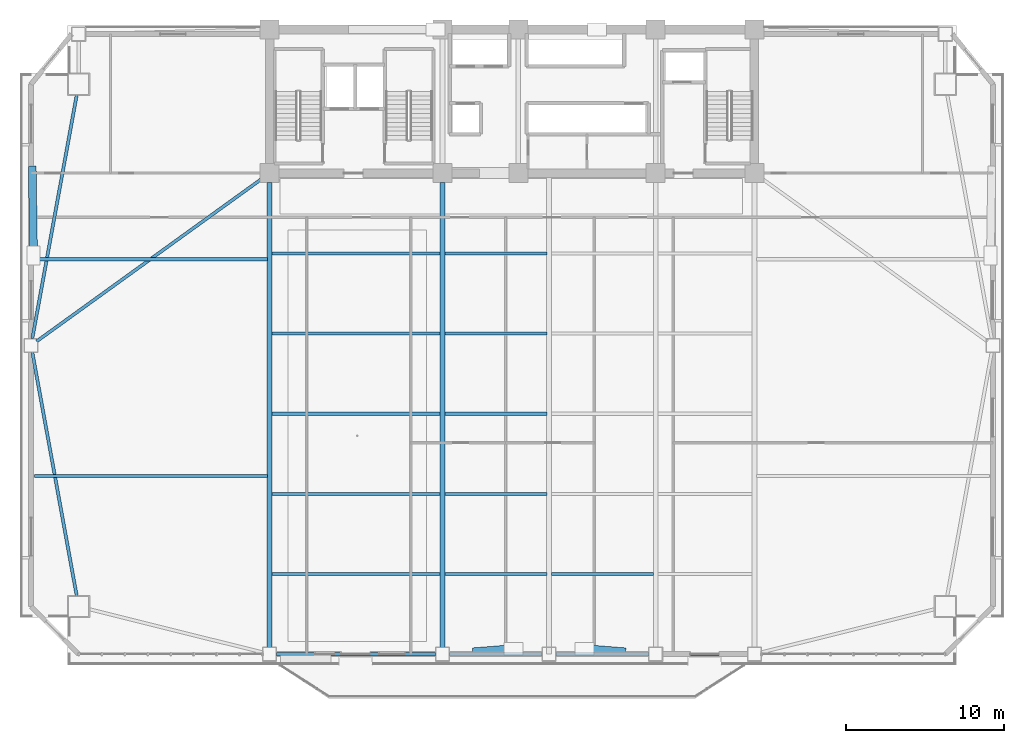
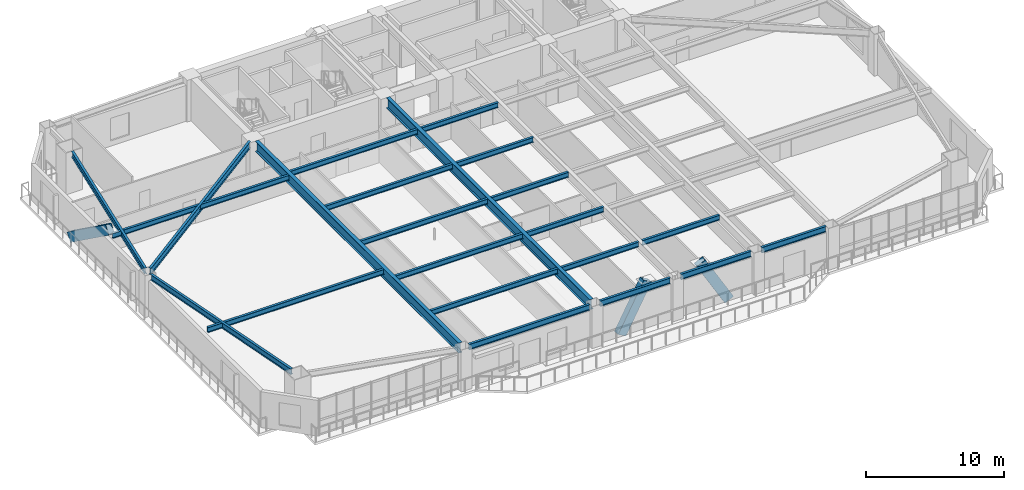
# One storey, part 3 of 15: 22 beams, 3 members.
"""IFC4 building model written with IfcOpenShell, lengths in metres."""

from ifc_helpers import new_model, si_unit, direction, frame, origin, origin_2d, place, context, subcontext, project, spatial, hollow_rectangle, i_section, extrude, source, transform, mapped, material, material_profile, profile_set, type_object, element, save


model = new_model("IFC4")

# Units and contexts
model_context = context("Model", 3, precision=1e-05, world=origin(), true_north=direction((0.0, 1.0)))
body_context = subcontext(model_context, "Body", "Model", "MODEL_VIEW")
ifc_project = project(units=[si_unit("LENGTHUNIT", "METRE"), si_unit("AREAUNIT", "SQUARE_METRE"), si_unit("VOLUMEUNIT", "CUBIC_METRE"), si_unit("PLANEANGLEUNIT", "RADIAN"), si_unit("MASSUNIT", "GRAM", prefix="KILO")], contexts=[model_context])

# Site, building, storey
site_placement = place(None, origin())
site = spatial("IfcSite", under=ifc_project, at=site_placement, CompositionType="ELEMENT")
building_placement = place(site_placement, origin())
building = spatial("IfcBuilding", under=site, at=building_placement, Name="Giltprow Tower", CompositionType="ELEMENT")
storey_placement = place(building_placement, frame((0.0, 0.0, 115.300048828125)))
storey = spatial("IfcBuildingStorey", under=building, at=storey_placement, Name="L28", CompositionType="ELEMENT", Elevation=115.300048828125)

# Beams
ifc_material_1 = material(Name="Structural steel Q355B", Category="steel")
ifc_material_profile_1 = material_profile(ifc_material_1, i_section(OverallWidth=0.199951171875, OverallDepth=0.449951171875, WebThickness=0.009033203125, FlangeThickness=0.013916015625, at=origin_2d()), Name="HN 450x200x9x14")
ifc_profile_set_1 = profile_set([ifc_material_profile_1], Name="Structural steel Q355B")
beam_type_1 = type_object("IfcBeamType", Name="BM-JOIST-HN450", PredefinedType="JOIST", material=ifc_profile_set_1)
shared_shape_1 = source(origin(), body_context, "Body", "SweptSolid", [
    extrude(i_section(OverallWidth=0.199951171875, OverallDepth=0.449951171875, WebThickness=0.009033203125, FlangeThickness=0.013916015625, at=origin_2d()), origin(), (0.0, 0.0, 1.0), 10.659912109375),
])
for number, where, z_axis, x_axis, name in (
    (1, (19.9951171875, 12.06689453125, 3.454833984375), (1.0, 0.0, 0.0), (0.0, 1.0, 0.0), "L28 Composite Floor Joist 1-1"),
    (2, (19.9951171875, 17.14306640625, 3.454833984375), (1.0, 0.0, 0.0), (0.0, 1.0, 0.0), "L28 Composite Floor Joist 2-1"),
    (3, (19.9951171875, 22.219970703125, 3.454833984375), (1.0, 0.0, 0.0), (0.0, 1.0, 0.0), "L28 Composite Floor Joist 3-1"),
    (4, (19.9951171875, 27.297119140625, 3.454833984375), (1.0, 0.0, 0.0), (0.0, 1.0, 0.0), "L28 Composite Floor Joist 4-1"),
    (5, (19.9951171875, 32.373046875, 3.454833984375), (1.0, 0.0, 0.0), (0.0, 1.0, 0.0), "L28 Composite Floor Joist 5-1"),
):
    element("IfcBeam", number, at=place(storey_placement, frame(where, z_axis=z_axis, x_axis=x_axis)), inside=storey, type_object=beam_type_1, Name=name, PredefinedType="JOIST", context=body_context, shape_type="MappedRepresentation", body=[
        mapped(shared_shape_1, transform((0.0, 0.0, 0.0), x_axis=(1.0, 0.0, 0.0), y_axis=(0.0, 1.0, 0.0), z_axis=(0.0, 0.0, 1.0), scale=1.0)),
    ])
shared_shape_2 = source(origin(), body_context, "Body", "SweptSolid", [
    extrude(i_section(OverallWidth=0.199951171875, OverallDepth=0.449951171875, WebThickness=0.009033203125, FlangeThickness=0.013916015625, at=origin_2d()), origin(), (0.0, 0.0, 1.0), 6.4599609375),
])
for number, where, z_axis, x_axis, name in (
    (6, (30.945068359375, 12.06689453125, 3.454833984375), (1.0, 0.0, 0.0), (0.0, 1.0, 0.0), "L28 Composite Floor Joist 1-2"),
    (7, (37.695068359375, 12.06689453125, 3.454833984375), (1.0, 0.0, 0.0), (0.0, 1.0, 0.0), "L28 Composite Floor Joist 1-3"),
    (8, (30.945068359375, 17.14306640625, 3.454833984375), (1.0, 0.0, 0.0), (0.0, 1.0, 0.0), "L28 Composite Floor Joist 2-2"),
    (9, (30.945068359375, 22.219970703125, 3.454833984375), (1.0, 0.0, 0.0), (0.0, 1.0, 0.0), "L28 Composite Floor Joist 3-2"),
    (10, (30.945068359375, 27.297119140625, 3.454833984375), (1.0, 0.0, 0.0), (0.0, 1.0, 0.0), "L28 Composite Floor Joist 4-2"),
    (11, (30.945068359375, 32.373046875, 3.454833984375), (1.0, 0.0, 0.0), (0.0, 1.0, 0.0), "L28 Composite Floor Joist 5-2"),
):
    element("IfcBeam", number, at=place(storey_placement, frame(where, z_axis=z_axis, x_axis=x_axis)), inside=storey, type_object=beam_type_1, Name=name, PredefinedType="JOIST", context=body_context, shape_type="MappedRepresentation", body=[
        mapped(shared_shape_2, transform((0.0, 0.0, 0.0), x_axis=(1.0, 0.0, 0.0), y_axis=(0.0, 1.0, 0.0), z_axis=(0.0, 0.0, 1.0), scale=1.0)),
    ])
ifc_material_profile_2 = material_profile(ifc_material_1, i_section(OverallWidth=0.199951171875, OverallDepth=0.5, WebThickness=0.010009765625, FlangeThickness=0.01611328125, at=origin_2d()), Name="HN 500x200x10x16")
ifc_profile_set_2 = profile_set([ifc_material_profile_2], Name="Structural steel Q355B")
beam_type_2 = type_object("IfcBeamType", Name="BM-SPAN-HN500", PredefinedType="SPANDREL", material=ifc_profile_set_2)
shared_shape_3 = source(origin(), body_context, "Body", "SweptSolid", [
    extrude(i_section(OverallWidth=0.199951171875, OverallDepth=0.5, WebThickness=0.010009765625, FlangeThickness=0.01611328125, at=origin_2d()), origin(), (0.0, 0.0, 1.0), 10.080078125),
])
beam_1_placement = place(storey_placement, frame((20.284912109375, 6.989990234375, 3.429931640625), z_axis=(1.0, 0.0, 0.0), x_axis=(0.0, 1.0, 0.0)))
element("IfcBeam", 12, at=beam_1_placement, inside=storey, type_object=beam_type_2, Name="L28 Perimeter Spandrel Beam S1-S2", PredefinedType="SPANDREL", context=body_context, shape_type="MappedRepresentation", body=[
    mapped(shared_shape_3, transform((0.0, 0.0, 0.0), x_axis=(1.0, 0.0, 0.0), y_axis=(0.0, 1.0, 0.0), z_axis=(0.0, 0.0, 1.0), scale=1.0)),
])
shared_shape_4 = source(origin(), body_context, "Body", "SweptSolid", [
    extrude(i_section(OverallWidth=0.199951171875, OverallDepth=0.5, WebThickness=0.010009765625, FlangeThickness=0.01611328125, at=origin_2d()), origin(), (0.0, 0.0, 1.0), 5.8798828125),
])
for number, where, z_axis, x_axis, name in (
    (13, (31.235107421875, 6.989990234375, 3.429931640625), (1.0, 0.0, 0.0), (0.0, 1.0, 0.0), "L28 Perimeter Spandrel Beam S2-S_MID"),
    (14, (37.985107421875, 6.989990234375, 3.429931640625), (1.0, 0.0, 0.0), (0.0, 1.0, 0.0), "L28 Perimeter Spandrel Beam S_MID-S3"),
):
    element("IfcBeam", number, at=place(storey_placement, frame(where, z_axis=z_axis, x_axis=x_axis)), inside=storey, type_object=beam_type_2, Name=name, PredefinedType="SPANDREL", context=body_context, shape_type="MappedRepresentation", body=[
        mapped(shared_shape_4, transform((0.0, 0.0, 0.0), x_axis=(1.0, 0.0, 0.0), y_axis=(0.0, 1.0, 0.0), z_axis=(0.0, 0.0, 1.0), scale=1.0)),
    ])
shared_shape_5 = source(origin(), body_context, "Body", "SweptSolid", [
    extrude(i_section(OverallWidth=0.199951171875, OverallDepth=0.5, WebThickness=0.010009765625, FlangeThickness=0.01611328125, at=origin_2d()), origin(), (0.0, 0.0, 1.0), 5.3798828125),
])
beam_2_placement = place(storey_placement, frame((44.735107421875, 6.989990234375, 3.429931640625), z_axis=(1.0, 0.0, 0.0), x_axis=(0.0, 1.0, 0.0)))
element("IfcBeam", 15, at=beam_2_placement, inside=storey, type_object=beam_type_2, Name="L28 Perimeter Spandrel Beam S3-S4", PredefinedType="SPANDREL", context=body_context, shape_type="MappedRepresentation", body=[
    mapped(shared_shape_5, transform((0.0, 0.0, 0.0), x_axis=(1.0, 0.0, 0.0), y_axis=(0.0, 1.0, 0.0), z_axis=(0.0, 0.0, 1.0), scale=1.0)),
])
shared_shape_6 = source(origin(), body_context, "Body", "SweptSolid", [
    extrude(i_section(OverallWidth=0.199951171875, OverallDepth=0.5, WebThickness=0.010009765625, FlangeThickness=0.01611328125, at=origin_2d()), origin(), (0.0, 0.0, 1.0), 15.690673828125),
])
for number, where, z_axis, x_axis, name in (
    (16, (7.637939453125, 42.408935546875, 3.429931640625), (-0.179463224787, -0.983764682711, 0.0), (0.983764682711, -0.179463224787, 0.0), "L28 Perimeter Spandrel Beam MC_NW-W_MID"),
    (17, (4.822021484375, 26.116943359375, 3.429931640625), (0.179463224787, -0.983764682711, 0.0), (0.983764682711, 0.179463224787, 0.0), "L28 Perimeter Spandrel Beam W_MID-MC_SW"),
):
    element("IfcBeam", number, at=place(storey_placement, frame(where, z_axis=z_axis, x_axis=x_axis)), inside=storey, type_object=beam_type_2, Name=name, PredefinedType="SPANDREL", context=body_context, shape_type="MappedRepresentation", body=[
        mapped(shared_shape_6, transform((0.0, 0.0, 0.0), x_axis=(1.0, 0.0, 0.0), y_axis=(0.0, 1.0, 0.0), z_axis=(0.0, 0.0, 1.0), scale=1.0)),
    ])
ifc_material_profile_3 = material_profile(ifc_material_1, i_section(OverallWidth=0.300048828125, OverallDepth=0.89990234375, WebThickness=0.01611328125, FlangeThickness=0.028076171875, at=origin_2d()), Name="HN 900x300x16x28")
ifc_profile_set_3 = profile_set([ifc_material_profile_3], Name="Structural steel Q355B")
beam_type_3 = type_object("IfcBeamType", Name="BM-GIRD-HN900", PredefinedType="BEAM", material=ifc_profile_set_3)
shared_shape_7 = source(origin(), body_context, "Body", "SweptSolid", [
    extrude(i_section(OverallWidth=0.300048828125, OverallDepth=0.89990234375, WebThickness=0.01611328125, FlangeThickness=0.028076171875, at=origin_2d()), origin(), (0.0, 0.0, 1.0), 29.43994140625),
])
for number, where, z_axis, x_axis, name in (
    (18, (19.85009765625, 7.425048828125, 3.22998046875), (0.0, 1.0, 0.0), (-1.0, 0.0, 0.0), "L28 Primary Lease Girder S1"),
    (19, (30.800048828125, 7.425048828125, 3.22998046875), (0.0, 1.0, 0.0), (-1.0, 0.0, 0.0), "L28 Primary Lease Girder S2"),
):
    element("IfcBeam", number, at=place(storey_placement, frame(where, z_axis=z_axis, x_axis=x_axis)), inside=storey, type_object=beam_type_3, Name=name, PredefinedType="BEAM", context=body_context, shape_type="MappedRepresentation", body=[
        mapped(shared_shape_7, transform((0.0, 0.0, 0.0), x_axis=(1.0, 0.0, 0.0), y_axis=(0.0, 1.0, 0.0), z_axis=(0.0, 0.0, 1.0), scale=1.0)),
    ])
ifc_material_profile_4 = material_profile(ifc_material_1, i_section(OverallWidth=0.199951171875, OverallDepth=0.60009765625, WebThickness=0.010986328125, FlangeThickness=0.01708984375, at=origin_2d()), Name="HN 600x200x11x17")
ifc_profile_set_4 = profile_set([ifc_material_profile_4], Name="Structural steel Q355B")
beam_type_4 = type_object("IfcBeamType", Name="BM-GIRD-HN600", PredefinedType="BEAM", material=ifc_profile_set_4)
shared_shape_8 = source(origin(), body_context, "Body", "SweptSolid", [
    extrude(i_section(OverallWidth=0.199951171875, OverallDepth=0.60009765625, WebThickness=0.010986328125, FlangeThickness=0.01708984375, at=origin_2d()), origin(), (0.0, 0.0, 1.0), 17.61083984375),
])
beam_3_placement = place(storey_placement, frame((5.096923828125, 26.800048828125, 3.3798828125), z_axis=(0.810808250373, 0.585311866552, 0.0), x_axis=(-0.585311866552, 0.810808250373, 0.0)))
element("IfcBeam", 20, at=beam_3_placement, inside=storey, type_object=beam_type_4, Name="L28 West Wing Primary Girder", PredefinedType="BEAM", context=body_context, shape_type="MappedRepresentation", body=[
    mapped(shared_shape_8, transform((0.0, 0.0, 0.0), x_axis=(1.0, 0.0, 0.0), y_axis=(0.0, 1.0, 0.0), z_axis=(0.0, 0.0, 1.0), scale=1.0)),
])
shared_shape_9 = source(origin(), body_context, "Body", "SweptSolid", [
    extrude(i_section(OverallWidth=0.199951171875, OverallDepth=0.449951171875, WebThickness=0.009033203125, FlangeThickness=0.013916015625, at=origin_2d()), origin(), (0.0, 0.0, 1.0), 14.740966796875),
])
for number, where, z_axis, x_axis, name in (
    (21, (4.964111328125, 18.27587890625, 3.454833984375), (1.0, 0.0, 0.0), (0.0, 1.0, 0.0), "L28 West Wing Floor Joist 1"),
    (22, (4.964111328125, 31.998046875, 3.454833984375), (1.0, 0.0, 0.0), (0.0, 1.0, 0.0), "L28 West Wing Floor Joist 2"),
):
    element("IfcBeam", number, at=place(storey_placement, frame(where, z_axis=z_axis, x_axis=x_axis)), inside=storey, type_object=beam_type_1, Name=name, PredefinedType="JOIST", context=body_context, shape_type="MappedRepresentation", body=[
        mapped(shared_shape_9, transform((0.0, 0.0, 0.0), x_axis=(1.0, 0.0, 0.0), y_axis=(0.0, 1.0, 0.0), z_axis=(0.0, 0.0, 1.0), scale=1.0)),
    ])

# Members
ifc_material_2 = material(Name="Structural steel Q420GJC", Category="steel")
ifc_material_profile_5 = material_profile(ifc_material_2, hollow_rectangle(XDim=0.5, YDim=0.800048828125, WallThickness=0.035888671875, at=origin_2d()), Name="RHS 800x500x36")
ifc_profile_set_5 = profile_set([ifc_material_profile_5], Name="Structural steel Q420GJC")
member_type = type_object("IfcMemberType", Name="MBR-MEGA-RHS800", PredefinedType="BRACE", material=ifc_profile_set_5)
shared_shape_10 = source(origin(), body_context, "Body", "SweptSolid", [
    extrude(hollow_rectangle(XDim=0.5, YDim=0.800048828125, WallThickness=0.035888671875, at=origin_2d()), origin(), (0.0, 0.0, 1.0), 4.505859375),
])
for number, where, z_axis, x_axis, name in (
    (23, (33.050048828125, 7.166015625, 0.0), (0.499350364216, 0.039065930187, 0.865518958115), (-0.077995186993, 0.996953735539, 0.0), "L28 Chevron Mega-Brace S-L"),
    (24, (42.050048828125, 7.166015625, 0.0), (-0.499350364216, 0.039065930187, 0.865518958115), (-0.077995186993, -0.996953735539, 0.0), "L28 Chevron Mega-Brace S-R"),
):
    element("IfcMember", number, at=place(storey_placement, frame(where, z_axis=z_axis, x_axis=x_axis)), inside=storey, type_object=member_type, Name=name, PredefinedType="BRACE", context=body_context, shape_type="MappedRepresentation", body=[
        mapped(shared_shape_10, transform((0.0, 0.0, 0.0), x_axis=(1.0, 0.0, 0.0), y_axis=(0.0, 1.0, 0.0), z_axis=(0.0, 0.0, 1.0), scale=1.0)),
    ])
shared_shape_11 = source(origin(), body_context, "Body", "SweptSolid", [
    extrude(hollow_rectangle(XDim=0.5, YDim=0.800048828125, WallThickness=0.035888671875, at=origin_2d()), origin(), (0.0, 0.0, 1.0), 6.680908203125),
])
member_placement = place(storey_placement, frame((4.822021484375, 37.657958984375, 0.0), z_axis=(0.011803202512, -0.811863003733, 0.583728659208), x_axis=(0.999894333973, 0.014536880311, 0.0)))
element("IfcMember", 25, at=member_placement, inside=storey, type_object=member_type, Name="L28 Chevron Mega-Brace W-R", PredefinedType="BRACE", context=body_context, shape_type="MappedRepresentation", body=[
    mapped(shared_shape_11, transform((0.0, 0.0, 0.0), x_axis=(1.0, 0.0, 0.0), y_axis=(0.0, 1.0, 0.0), z_axis=(0.0, 0.0, 1.0), scale=1.0)),
])

save(model, "model.ifc")
